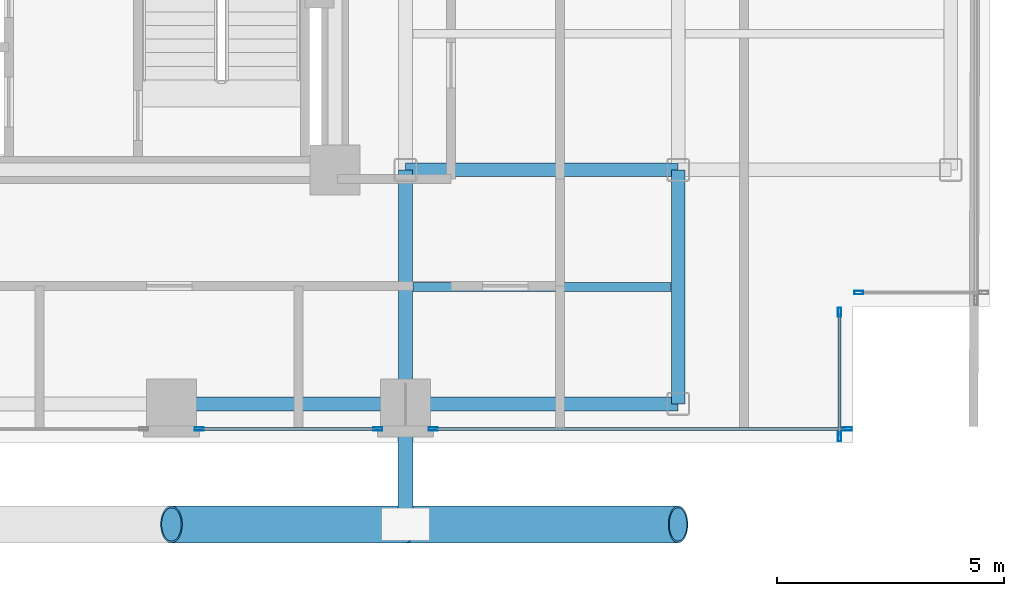
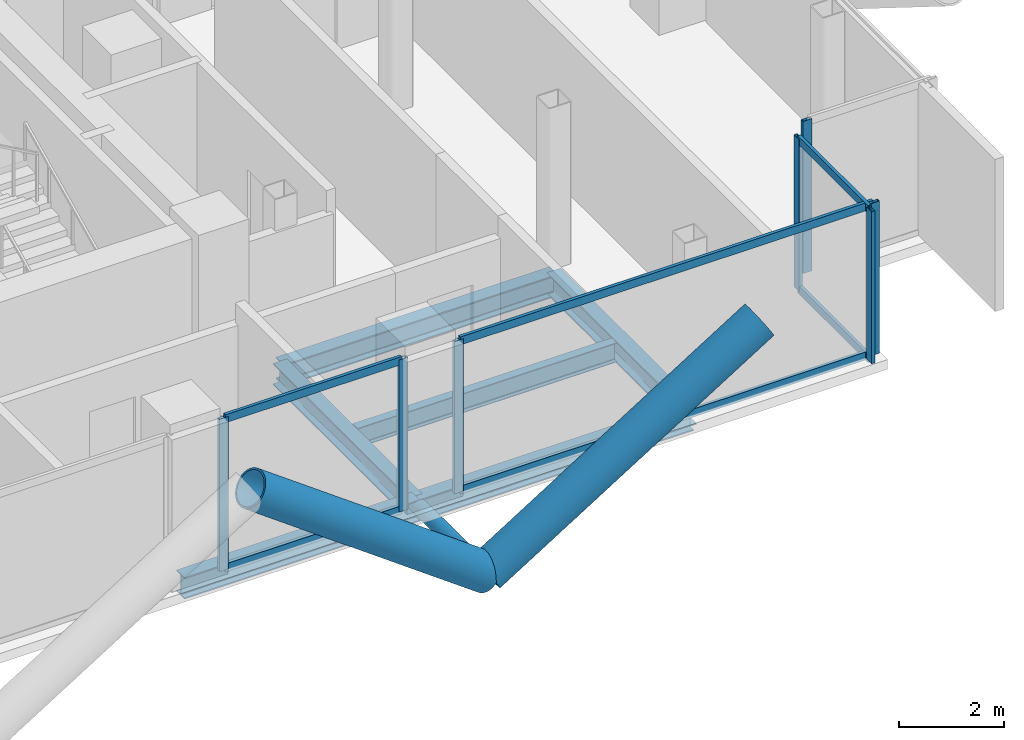
# One storey, part 9 of 24: 16 members, 6 beams, 4 elements without a shape of their own.
"""IFC4 building model written with IfcOpenShell, lengths in metres."""

from ifc_helpers import new_model, si_unit, direction, frame, origin, origin_2d, place, context, subcontext, project, spatial, hollow_rectangle, hollow_circle, i_section, extrude, material, layer, layer_set, material_profile, profile_set, type_object, element, aggregate, save


model = new_model("IFC4")

# Units and contexts
model_context = context("Model", 3, precision=1e-05, world=origin(), true_north=direction((0.0, 1.0)))
body_context = subcontext(model_context, "Body", "Model", "MODEL_VIEW")
ifc_project = project(units=[si_unit("LENGTHUNIT", "METRE"), si_unit("AREAUNIT", "SQUARE_METRE"), si_unit("VOLUMEUNIT", "CUBIC_METRE"), si_unit("PLANEANGLEUNIT", "RADIAN"), si_unit("MASSUNIT", "GRAM", prefix="KILO"), si_unit("THERMODYNAMICTEMPERATUREUNIT", "KELVIN"), si_unit("POWERUNIT", "WATT")], contexts=[model_context])

# Site, building, storey
site_placement = place(None, origin())
site = spatial("IfcSite", under=ifc_project, at=site_placement, CompositionType="ELEMENT")
building_placement = place(site_placement, origin())
building = spatial("IfcBuilding", under=site, at=building_placement, Name="Svarakhadi Broadcast Tower", CompositionType="ELEMENT")
storey_placement = place(building_placement, frame((0.0, 0.0, 115.64990234375)))
storey = spatial("IfcBuildingStorey", under=building, at=storey_placement, Name="L27", CompositionType="ELEMENT", Elevation=115.64990234375)

# Beam
ifc_material_1 = material(Name="Steel S355J2 (IS 2062 E350C)", Category="steel")
ifc_material_profile_1 = material_profile(ifc_material_1, i_section(OverallWidth=0.18994140625, OverallDepth=0.449951171875, WebThickness=0.009521484375, FlangeThickness=0.0146484375, FilletRadius=0.02099609375, at=origin_2d()), Name="NPB 450x190x78")
ifc_profile_set_1 = profile_set([ifc_material_profile_1], Name="Steel S355J2 (IS 2062 E350C)")
beam_type_1 = type_object("IfcBeamType", Name="Beam_NPB450", PredefinedType="BEAM", material=ifc_profile_set_1)
beam_1_placement = place(storey_placement, frame((35.31005859375, 3.425048828125, -0.449951171875), z_axis=(1.0, 0.0, 0.0), x_axis=(0.0, 1.0, 0.0)))
element("IfcBeam", 1, at=beam_1_placement, inside=storey, type_object=beam_type_1, Name="L27 Secondary Composite Beam SB019", PredefinedType="BEAM", context=body_context, shape_type="SweptSolid", body=[
    extrude(i_section(OverallWidth=0.18994140625, OverallDepth=0.449951171875, WebThickness=0.009521484375, FlangeThickness=0.0146484375, FilletRadius=0.02099609375, at=origin_2d()), origin(), (0.0, 0.0, 1.0), 5.679931640625),
])

# Curtain wall, member
ifc_material_2 = material(Name="Anodised Bronze Aluminium AA 6063-T6", Category="aluminium")
ifc_layer = layer(ifc_material_2, 0.199951171875)
ifc_layer_set = layer_set([ifc_layer], Name="Anodised Bronze Aluminium AA 6063-T6")
curtain_wall_type = type_object("IfcCurtainWallType", Name="CW_Sys_03", PredefinedType="NOTDEFINED", material=ifc_layer_set)
curtain_wall_1_placement = place(storey_placement, origin())
curtain_wall_1 = element("IfcCurtainWall", 2, at=curtain_wall_1_placement, inside=storey, type_object=curtain_wall_type, Name="L27 Unitised Facade Curtain Wall 14", PredefinedType="NOTDEFINED")
ifc_material_profile_2 = material_profile(ifc_material_2, hollow_rectangle(XDim=0.074951171875, YDim=0.199951171875, WallThickness=0.005615234375, at=origin_2d()), Name="ALU MULLION 200x75x6")
ifc_profile_set_2 = profile_set([ifc_material_profile_2], Name="Anodised Bronze Aluminium AA 6063-T6")
member_type_1 = type_object("IfcMemberType", Name="CW_Sys_03_Mul", PredefinedType="MULLION", material=ifc_profile_set_2)
member_1_placement = place(storey_placement, frame((45.12744140625, 3.300048828125, 0.0), z_axis=(0.0, 0.0, 1.0), x_axis=(0.0, -1.0, 0.0)))
member_1 = element("IfcMember", 3, at=member_1_placement, type_object=member_type_1, Name="CW-03 mullion 2", PredefinedType="MULLION", context=body_context, shape_type="SweptSolid", body=[
    extrude(hollow_rectangle(XDim=0.074951171875, YDim=0.199951171875, WallThickness=0.005615234375, at=origin_2d()), origin(), (0.0, 0.0, 1.0), 3.525146484375),
])
aggregate(curtain_wall_1, [member_1])

# Curtain wall, members
curtain_wall_2_placement = place(storey_placement, origin())
curtain_wall_2 = element("IfcCurtainWall", 4, at=curtain_wall_2_placement, inside=storey, type_object=curtain_wall_type, Name="L27 Unitised Facade Curtain Wall 15", PredefinedType="NOTDEFINED")
member_2_placement = place(storey_placement, frame((44.699951171875, 2.87255859375, 0.0), z_axis=(0.0, 0.0, 1.0), x_axis=(1.0, 0.0, 0.0)))
member_2 = element("IfcMember", 5, at=member_2_placement, type_object=member_type_1, Name="CW-03 mullion 1", PredefinedType="MULLION", context=body_context, shape_type="SweptSolid", body=[
    extrude(hollow_rectangle(XDim=0.074951171875, YDim=0.199951171875, WallThickness=0.005615234375, at=origin_2d()), origin(), (0.0, 0.0, 1.0), 3.525146484375),
])
member_3_placement = place(storey_placement, frame((44.699951171875, 0.12744140625, 0.0), z_axis=(0.0, 0.0, 1.0), x_axis=(1.0, 0.0, 0.0)))
member_3 = element("IfcMember", 6, at=member_3_placement, type_object=member_type_1, Name="CW-03 mullion 2", PredefinedType="MULLION", context=body_context, shape_type="SweptSolid", body=[
    extrude(hollow_rectangle(XDim=0.074951171875, YDim=0.199951171875, WallThickness=0.005615234375, at=origin_2d()), origin(), (0.0, 0.0, 1.0), 3.525146484375),
])

curtain_wall_3_placement = place(storey_placement, origin())
curtain_wall_3 = element("IfcCurtainWall", 7, at=curtain_wall_3_placement, inside=storey, type_object=curtain_wall_type, Name="L27 South Curtain Wall 16 Bay 1", PredefinedType="NOTDEFINED")
member_4_placement = place(storey_placement, frame((44.87255859375, 0.300048828125, 0.0), z_axis=(0.0, 0.0, 1.0), x_axis=(0.0, -1.0, 0.0)))
member_4 = element("IfcMember", 8, at=member_4_placement, type_object=member_type_1, Name="CW-03 mullion 1", PredefinedType="MULLION", context=body_context, shape_type="SweptSolid", body=[
    extrude(hollow_rectangle(XDim=0.074951171875, YDim=0.199951171875, WallThickness=0.005615234375, at=origin_2d()), origin(), (0.0, 0.0, 1.0), 3.525146484375),
])
member_5_placement = place(storey_placement, frame((35.757568359375, 0.300048828125, 0.0), z_axis=(0.0, 0.0, 1.0), x_axis=(0.0, -1.0, 0.0)))
member_5 = element("IfcMember", 9, at=member_5_placement, type_object=member_type_1, Name="CW-03 mullion 2", PredefinedType="MULLION", context=body_context, shape_type="SweptSolid", body=[
    extrude(hollow_rectangle(XDim=0.074951171875, YDim=0.199951171875, WallThickness=0.005615234375, at=origin_2d()), origin(), (0.0, 0.0, 1.0), 3.525146484375),
])

curtain_wall_4_placement = place(storey_placement, origin())
curtain_wall_4 = element("IfcCurtainWall", 10, at=curtain_wall_4_placement, inside=storey, type_object=curtain_wall_type, Name="L27 South Curtain Wall 16 Bay 2", PredefinedType="NOTDEFINED")
member_6_placement = place(storey_placement, frame((34.54248046875, 0.300048828125, 0.0), z_axis=(0.0, 0.0, 1.0), x_axis=(0.0, -1.0, 0.0)))
member_6 = element("IfcMember", 11, at=member_6_placement, type_object=member_type_1, Name="CW-03 mullion 1", PredefinedType="MULLION", context=body_context, shape_type="SweptSolid", body=[
    extrude(hollow_rectangle(XDim=0.074951171875, YDim=0.199951171875, WallThickness=0.005615234375, at=origin_2d()), origin(), (0.0, 0.0, 1.0), 3.525146484375),
])
member_7_placement = place(storey_placement, frame((30.607421875, 0.300048828125, 0.0), z_axis=(0.0, 0.0, 1.0), x_axis=(0.0, -1.0, 0.0)))
member_7 = element("IfcMember", 12, at=member_7_placement, type_object=member_type_1, Name="CW-03 mullion 2", PredefinedType="MULLION", context=body_context, shape_type="SweptSolid", body=[
    extrude(hollow_rectangle(XDim=0.074951171875, YDim=0.199951171875, WallThickness=0.005615234375, at=origin_2d()), origin(), (0.0, 0.0, 1.0), 3.525146484375),
])

# Member
ifc_material_profile_3 = material_profile(ifc_material_2, hollow_rectangle(XDim=0.070068359375, YDim=0.18505859375, WallThickness=0.0048828125, at=origin_2d()), Name="ALU TRANSOM 185x70x5")
ifc_profile_set_3 = profile_set([ifc_material_profile_3], Name="Anodised Bronze Aluminium AA 6063-T6")
member_type_2 = type_object("IfcMemberType", Name="CW_Sys_03_Trn", PredefinedType="USERDEFINED", material=ifc_profile_set_3)
member_8_placement = place(storey_placement, frame((44.699951171875, 2.8349609375, 0.03515625), z_axis=(0.0, -1.0, 0.0), x_axis=(1.0, 0.0, 0.0)))
member_8 = element("IfcMember", 13, at=member_8_placement, type_object=member_type_2, Name="CW-03 transom 1.1", ObjectType="TRANSOM", PredefinedType="USERDEFINED", context=body_context, shape_type="SweptSolid", body=[
    extrude(hollow_rectangle(XDim=0.070068359375, YDim=0.18505859375, WallThickness=0.0048828125, at=origin_2d()), origin(), (0.0, 0.0, 1.0), 2.669921875),
])

member_9_placement = place(storey_placement, frame((44.699951171875, 2.8349609375, 3.489990234375), z_axis=(0.0, -1.0, 0.0), x_axis=(1.0, 0.0, 0.0)))
member_9 = element("IfcMember", 14, at=member_9_placement, type_object=member_type_2, Name="CW-03 transom 1.2", ObjectType="TRANSOM", PredefinedType="USERDEFINED", context=body_context, shape_type="SweptSolid", body=[
    extrude(hollow_rectangle(XDim=0.070068359375, YDim=0.18505859375, WallThickness=0.0048828125, at=origin_2d()), origin(), (0.0, 0.0, 1.0), 2.669921875),
])

aggregate(curtain_wall_2, [member_2, member_3, member_8, member_9])

member_10_placement = place(storey_placement, frame((44.8349609375, 0.300048828125, 0.03515625), z_axis=(-1.0, 0.0, 0.0), x_axis=(0.0, -1.0, 0.0)))
member_10 = element("IfcMember", 15, at=member_10_placement, type_object=member_type_2, Name="CW-03 transom 1.1", ObjectType="TRANSOM", PredefinedType="USERDEFINED", context=body_context, shape_type="SweptSolid", body=[
    extrude(hollow_rectangle(XDim=0.070068359375, YDim=0.18505859375, WallThickness=0.0048828125, at=origin_2d()), origin(), (0.0, 0.0, 1.0), 9.0400390625),
])

member_11_placement = place(storey_placement, frame((44.8349609375, 0.300048828125, 3.489990234375), z_axis=(-1.0, 0.0, 0.0), x_axis=(0.0, -1.0, 0.0)))
member_11 = element("IfcMember", 16, at=member_11_placement, type_object=member_type_2, Name="CW-03 transom 1.2", ObjectType="TRANSOM", PredefinedType="USERDEFINED", context=body_context, shape_type="SweptSolid", body=[
    extrude(hollow_rectangle(XDim=0.070068359375, YDim=0.18505859375, WallThickness=0.0048828125, at=origin_2d()), origin(), (0.0, 0.0, 1.0), 9.0400390625),
])

aggregate(curtain_wall_3, [member_4, member_5, member_10, member_11])

member_12_placement = place(storey_placement, frame((34.5048828125, 0.300048828125, 0.03515625), z_axis=(-1.0, 0.0, 0.0), x_axis=(0.0, -1.0, 0.0)))
member_12 = element("IfcMember", 17, at=member_12_placement, type_object=member_type_2, Name="CW-03 transom 1.1", ObjectType="TRANSOM", PredefinedType="USERDEFINED", context=body_context, shape_type="SweptSolid", body=[
    extrude(hollow_rectangle(XDim=0.070068359375, YDim=0.18505859375, WallThickness=0.0048828125, at=origin_2d()), origin(), (0.0, 0.0, 1.0), 3.85986328125),
])

member_13_placement = place(storey_placement, frame((34.5048828125, 0.300048828125, 3.489990234375), z_axis=(-1.0, 0.0, 0.0), x_axis=(0.0, -1.0, 0.0)))
member_13 = element("IfcMember", 18, at=member_13_placement, type_object=member_type_2, Name="CW-03 transom 1.2", ObjectType="TRANSOM", PredefinedType="USERDEFINED", context=body_context, shape_type="SweptSolid", body=[
    extrude(hollow_rectangle(XDim=0.070068359375, YDim=0.18505859375, WallThickness=0.0048828125, at=origin_2d()), origin(), (0.0, 0.0, 1.0), 3.85986328125),
])

aggregate(curtain_wall_4, [member_6, member_7, member_12, member_13])

# Members
ifc_material_3 = material(Name="Steel S460ML (IS 2062 E450BR)", Category="steel")
ifc_material_profile_4 = material_profile(ifc_material_3, hollow_circle(Radius=0.406494140625, WallThickness=0.0400390625, at=origin_2d()), Name="CHS 813x40")
ifc_profile_set_4 = profile_set([ifc_material_profile_4], Name="Steel S460ML (IS 2062 E450BR)")
member_type_3 = type_object("IfcMemberType", Name="Exo_Brace_CHS813", PredefinedType="BRACE", material=ifc_profile_set_4)
member_14_placement = place(storey_placement, frame((35.14990234375, -1.800048828125, -0.386962890625), z_axis=(-0.808391243061, 0.0, 0.588645562407), x_axis=(0.0, -1.0, 0.0)))
element("IfcMember", 19, at=member_14_placement, inside=storey, type_object=member_type_3, Name="L27 Exposed Bronze Exoskeleton Diagonal S02", PredefinedType="BRACE", context=body_context, shape_type="SweptSolid", body=[
    extrude(hollow_circle(Radius=0.406494140625, WallThickness=0.0400390625, at=origin_2d()), origin(), (0.0, 0.0, 1.0), 6.37060546875),
])
member_15_placement = place(storey_placement, frame((35.14990234375, -1.800048828125, -0.386962890625), z_axis=(0.847998304005, 0.0, 0.529998940003), x_axis=(0.0, 1.0, 0.0)))
element("IfcMember", 20, at=member_15_placement, inside=storey, type_object=member_type_3, Name="L27 Exposed Bronze Exoskeleton Diagonal S03", PredefinedType="BRACE", context=body_context, shape_type="SweptSolid", body=[
    extrude(hollow_circle(Radius=0.406494140625, WallThickness=0.0400390625, at=origin_2d()), origin(), (0.0, 0.0, 1.0), 7.075439453125),
])
ifc_material_profile_5 = material_profile(ifc_material_3, hollow_circle(Radius=0.161865234375, WallThickness=0.01611328125, at=origin_2d()), Name="CHS 323.9x16")
ifc_profile_set_5 = profile_set([ifc_material_profile_5], Name="Steel S460ML (IS 2062 E450BR)")
member_type_4 = type_object("IfcMemberType", Name="Exo_Radial_Strut_Z2", PredefinedType="STRUT", material=ifc_profile_set_5)
member_16_placement = place(storey_placement, frame((35.14990234375, -1.800048828125, -0.386962890625), z_axis=(0.0, 1.0, 0.0), x_axis=(-1.0, 0.0, 0.0)))
element("IfcMember", 21, at=member_16_placement, inside=storey, type_object=member_type_4, Name="L27 Exoskeleton Radial Tie Strut S02", PredefinedType="STRUT", context=body_context, shape_type="SweptSolid", body=[
    extrude(hollow_circle(Radius=0.161865234375, WallThickness=0.01611328125, at=origin_2d()), origin(), (0.0, 0.0, 1.0), 2.650146484375),
])

# Beams
ifc_material_profile_6 = material_profile(ifc_material_1, i_section(OverallWidth=0.300048828125, OverallDepth=0.5, WebThickness=0.014404296875, FlangeThickness=0.028076171875, FilletRadius=0.027099609375, at=origin_2d()), Name="WPB 500x300x187")
ifc_profile_set_6 = profile_set([ifc_material_profile_6], Name="Steel S355J2 (IS 2062 E350C)")
beam_type_2 = type_object("IfcBeamType", Name="Girder_WPB500", PredefinedType="USERDEFINED", material=ifc_profile_set_6)
beam_2_placement = place(storey_placement, frame((30.0, 0.85009765625, -0.474853515625), z_axis=(1.0, 0.0, 0.0), x_axis=(0.0, 1.0, 0.0)))
element("IfcBeam", 22, at=beam_2_placement, inside=storey, type_object=beam_type_2, Name="L27 Primary E-W Girder G008", ObjectType="GIRDER", PredefinedType="USERDEFINED", context=body_context, shape_type="SweptSolid", body=[
    extrude(i_section(OverallWidth=0.300048828125, OverallDepth=0.5, WebThickness=0.014404296875, FlangeThickness=0.028076171875, FilletRadius=0.027099609375, at=origin_2d()), origin(), (0.0, 0.0, 1.0), 5.14990234375),
])
for number, where, z_axis, x_axis, name in (
    (23, (35.14990234375, 0.85009765625, -0.474853515625), (1.0, 0.0, 0.0), (0.0, 1.0, 0.0), "L27 Primary E-W Girder G009"),
    (24, (35.14990234375, 6.0, -0.474853515625), (1.0, 0.0, 0.0), (0.0, 1.0, 0.0), "L27 Primary E-W Girder G015"),
):
    element("IfcBeam", number, at=place(storey_placement, frame(where, z_axis=z_axis, x_axis=x_axis)), inside=storey, type_object=beam_type_2, Name=name, ObjectType="GIRDER", PredefinedType="USERDEFINED", context=body_context, shape_type="SweptSolid", body=[
        extrude(i_section(OverallWidth=0.300048828125, OverallDepth=0.5, WebThickness=0.014404296875, FlangeThickness=0.028076171875, FilletRadius=0.027099609375, at=origin_2d()), origin(), (0.0, 0.0, 1.0), 6.0),
    ])
for number, where, z_axis, x_axis, name in (
    (25, (35.14990234375, 0.85009765625, -0.474853515625), (0.0, 1.0, 0.0), (-1.0, 0.0, 0.0), "L27 Primary N-S Girder G067"),
    (26, (41.14990234375, 0.85009765625, -0.474853515625), (0.0, 1.0, 0.0), (-1.0, 0.0, 0.0), "L27 Primary N-S Girder G070"),
):
    element("IfcBeam", number, at=place(storey_placement, frame(where, z_axis=z_axis, x_axis=x_axis)), inside=storey, type_object=beam_type_2, Name=name, ObjectType="GIRDER", PredefinedType="USERDEFINED", context=body_context, shape_type="SweptSolid", body=[
        extrude(i_section(OverallWidth=0.300048828125, OverallDepth=0.5, WebThickness=0.014404296875, FlangeThickness=0.028076171875, FilletRadius=0.027099609375, at=origin_2d()), origin(), (0.0, 0.0, 1.0), 5.14990234375),
    ])

save(model, "model.ifc")
